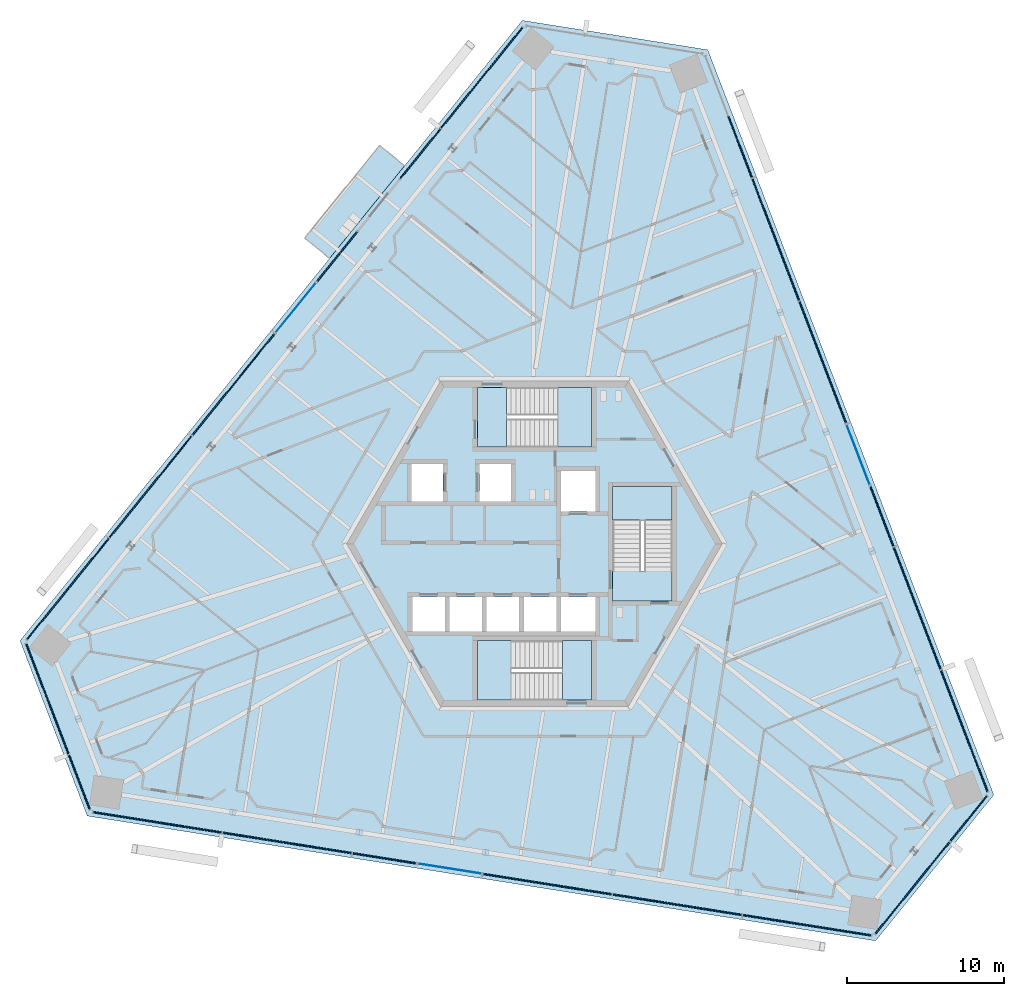
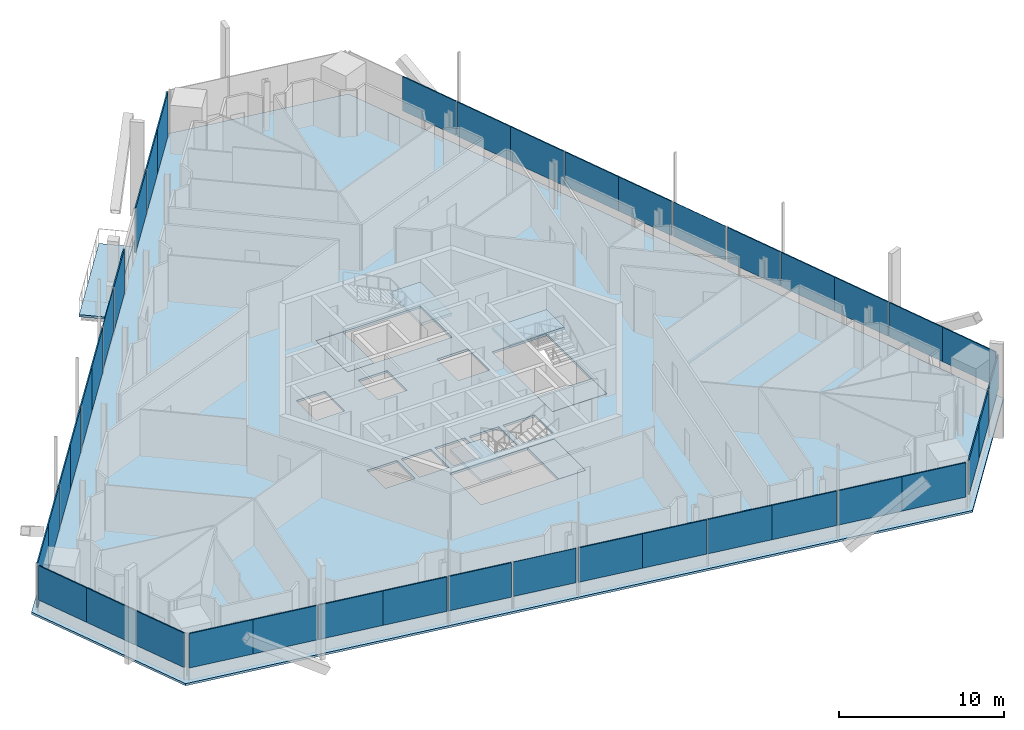
# One storey, part 10 of 23: 40 plates, 8 slabs, 15 elements without a shape of their own.
"""IFC4 building model written with IfcOpenShell, lengths in metres."""

from ifc_helpers import new_model, si_unit, direction, frame, origin, origin_2d, place, context, subcontext, project, spatial, polyline, rectangle, outline, extrude, source, transform, mapped, material, layer, layer_set, type_object, element, aggregate, save


model = new_model("IFC4")

# Units and contexts
model_context = context("Model", 3, precision=1e-05, world=origin(), true_north=direction((0.0, 1.0)))
body_context = subcontext(model_context, "Body", "Model", "MODEL_VIEW")
ifc_project = project(units=[si_unit("LENGTHUNIT", "METRE"), si_unit("AREAUNIT", "SQUARE_METRE"), si_unit("VOLUMEUNIT", "CUBIC_METRE"), si_unit("PLANEANGLEUNIT", "RADIAN"), si_unit("MASSUNIT", "GRAM", prefix="KILO")], contexts=[model_context])

# Site, building, storey
site_placement = place(None, origin())
site = spatial("IfcSite", under=ifc_project, at=site_placement, CompositionType="ELEMENT")
building_placement = place(site_placement, origin())
building = spatial("IfcBuilding", under=site, at=building_placement, Name="Triune Harvest Tower", CompositionType="ELEMENT")
storey_placement = place(building_placement, frame((0.0, 0.0, 167.699951171875)))
storey = spatial("IfcBuildingStorey", under=building, at=storey_placement, Name="L43", CompositionType="ELEMENT", Elevation=167.699951171875)

# Slab
ifc_material_1 = material(Name="Concrete 40 MPa", Category="concrete")
ifc_layer_1 = layer(ifc_material_1, 0.159912109375)
ifc_layer_set_1 = layer_set([ifc_layer_1], Name="Concrete 40 MPa")
slab_type_1 = type_object("IfcSlabType", Name="BA-1 balcony slab 160", PredefinedType="FLOOR", material=ifc_layer_set_1)
slab_1_placement = place(storey_placement, frame((0.0, 0.0, -0.159912109375)))
element("IfcSlab", 1, at=slab_1_placement, inside=storey, type_object=slab_type_1, Name="Balcony slab B4-F3 L43.4", PredefinedType="FLOOR", context=body_context, shape_type="SweptSolid", body=[
    extrude(outline(polyline([(-8.296630859375, 24.15771484375), (-13.08837890625, 18.240234375), (-14.6904296875, 19.53759765625), (-9.898681640625, 25.454833984375), (-8.296630859375, 24.15771484375)])), origin(), (0.0, 0.0, 1.0), 0.159912109375),
])

# Curtain wall, plate
ifc_material_2 = material(Name="Aluminium bronze anodised", Category="aluminium")
curtain_wall_type_1 = type_object("IfcCurtainWallType", Name="CW-6 Balcony window wall", PredefinedType="NOTDEFINED", material=ifc_material_2)
curtain_wall_1_placement = place(storey_placement, origin())
curtain_wall_1 = element("IfcCurtainWall", 2, at=curtain_wall_1_placement, inside=storey, type_object=curtain_wall_type_1, Name="CW-6 B4-F3 L43 run 1002")
ifc_material_3 = material(Name="Glass", Category="glass")
ifc_layer_2 = layer(ifc_material_3, 0.030029296875)
ifc_layer_set_2 = layer_set([ifc_layer_2], Name="Glass")
plate_type_1 = type_object("IfcPlateType", Name="GL-6 panel 30", PredefinedType="CURTAIN_PANEL", material=ifc_layer_set_2)
plate_1_placement = place(storey_placement, frame((-15.253662109375, 15.08984375, 0.150146484375), z_axis=(0.0, 0.0, 1.0), x_axis=(-0.629310288155, -0.777154142511, 0.0)))
plate_1 = element("IfcPlate", 3, at=plate_1_placement, type_object=plate_type_1, Name="CW-6 panel B4-F3 1002.1", PredefinedType="CURTAIN_PANEL", context=body_context, shape_type="SweptSolid", body=[
    extrude(rectangle(XDim=4.059814453125, YDim=0.030029296875, at=origin_2d()), origin(), (0.0, 0.0, 1.0), 3.2900390625),
])
aggregate(curtain_wall_1, [plate_1])

# Curtain wall, plates
ifc_material_4 = material(Name="Aluminium bronze anodised", Category="aluminium")
curtain_wall_type_2 = type_object("IfcCurtainWallType", Name="CW-10 Balcony window wall with insulated spandrel infill", PredefinedType="NOTDEFINED", material=ifc_material_4)
curtain_wall_2_placement = place(storey_placement, origin())
curtain_wall_2 = element("IfcCurtainWall", 4, at=curtain_wall_2_placement, inside=storey, type_object=curtain_wall_type_2, Name="CW-10 B4-F3 L43 run 1")
ifc_material_5 = material(Name="Insulated spandrel panel, bronze aluminium pan", Category="aluminium")
ifc_layer_3 = layer(ifc_material_5, 0.080078125)
ifc_layer_set_3 = layer_set([ifc_layer_3], Name="Insulated spandrel panel, bronze aluminium pan")
plate_type_2 = type_object("IfcPlateType", Name="SP-1 insulated spandrel panel 80", PredefinedType="CURTAIN_PANEL", material=ifc_layer_set_3)
plate_2_placement = place(storey_placement, frame((-2.052978515625, 31.391357421875, 0.150146484375), z_axis=(0.0, 0.0, 1.0), x_axis=(-0.629321459087, -0.777145096577, 0.0)))
plate_2 = element("IfcPlate", 5, at=plate_2_placement, type_object=plate_type_2, Name="CW-10 panel B4-F3 1.1", PredefinedType="CURTAIN_PANEL", context=body_context, shape_type="SweptSolid", body=[
    extrude(rectangle(XDim=4.1162109375, YDim=0.080078125, at=origin_2d()), origin(), (0.0, 0.0, 1.0), 3.2900390625),
])
plate_3_placement = place(storey_placement, frame((-7.292724609375, 24.9208984375, 0.150146484375), z_axis=(0.0, 0.0, 1.0), x_axis=(-0.629321459087, -0.777145096577, 0.0)))
plate_3 = element("IfcPlate", 6, at=plate_3_placement, type_object=plate_type_2, Name="CW-10 panel B4-F3 1.3", PredefinedType="CURTAIN_PANEL", context=body_context, shape_type="SweptSolid", body=[
    extrude(rectangle(XDim=4.07861328125, YDim=0.080078125, at=origin_2d()), origin(), (0.0, 0.0, 1.0), 3.2900390625),
])

# Curtain wall, plate
curtain_wall_3_placement = place(storey_placement, origin())
curtain_wall_3 = element("IfcCurtainWall", 7, at=curtain_wall_3_placement, inside=storey, type_object=curtain_wall_type_2, Name="CW-10 B4-F3 L43 run 2")
plate_4_placement = place(storey_placement, frame((-12.6044921875, 18.361328125, 0.150146484375), z_axis=(0.0, 0.0, 1.0), x_axis=(-0.629328506821, -0.777139389365, 0.0)))
plate_4 = element("IfcPlate", 8, at=plate_4_placement, type_object=plate_type_2, Name="CW-10 panel B4-F3 2.1", PredefinedType="CURTAIN_PANEL", context=body_context, shape_type="SweptSolid", body=[
    extrude(rectangle(XDim=4.059814453125, YDim=0.080078125, at=origin_2d()), origin(), (0.0, 0.0, 1.0), 3.2900390625),
])
aggregate(curtain_wall_3, [plate_4])

# Slab
ifc_material_6 = material(Name="Concrete 40 MPa", Category="concrete")
ifc_layer_4 = layer(ifc_material_6, 0.159912109375)
ifc_layer_set_4 = layer_set([ifc_layer_4], Name="Concrete 40 MPa")
slab_type_2 = type_object("IfcSlabType", Name="SL-1 Composite floor slab 160", PredefinedType="FLOOR", material=ifc_layer_set_4)
shared_shape_1 = source(origin(), body_context, "Body", "SweptSolid", [
    extrude(outline(polyline([(29.35107421875, -16.04736328125), (11.07421875, 31.565185546875), (-0.778076171875, 33.4423828125), (-32.873291015625, -6.19189453125), (-28.572998046875, -17.39501953125), (21.799072265625, -25.373291015625), (29.35107421875, -16.04736328125)]), holes=[polyline([(-5.72509765625, -5.590087890625), (-5.72509765625, -3.389892578125), (-7.800048828125, -3.389892578125), (-7.800048828125, -5.590087890625), (-5.72509765625, -5.590087890625)]), polyline([(-3.35009765625, -5.590087890625), (-3.35009765625, -3.389892578125), (-5.425048828125, -3.389892578125), (-5.425048828125, -5.590087890625), (-3.35009765625, -5.590087890625)]), polyline([(-0.97509765625, -5.590087890625), (-0.97509765625, -3.389892578125), (-3.050048828125, -3.389892578125), (-3.050048828125, -5.590087890625), (-0.97509765625, -5.590087890625)]), polyline([(1.39990234375, -5.590087890625), (1.39990234375, -3.389892578125), (-0.675048828125, -3.389892578125), (-0.675048828125, -5.590087890625), (1.39990234375, -5.590087890625)]), polyline([(3.89990234375, 2.06005859375), (3.89990234375, 4.659912109375), (1.699951171875, 4.659912109375), (1.699951171875, 2.06005859375), (3.89990234375, 2.06005859375)]), polyline([(3.89990234375, -5.590087890625), (3.89990234375, -3.389892578125), (1.699951171875, -3.389892578125), (1.699951171875, -5.590087890625), (3.89990234375, -5.590087890625)]), polyline([(-5.85009765625, 2.7099609375), (-5.85009765625, 5.110107421875), (-7.85009765625, 5.110107421875), (-7.85009765625, 2.7099609375), (-5.85009765625, 2.7099609375)]), polyline([(-1.5, 2.7099609375), (-1.5, 5.110107421875), (-3.5, 5.110107421875), (-3.5, 2.7099609375), (-1.5, 2.7099609375)]), polyline([(3.64990234375, 6.18994140625), (3.64990234375, 9.989990234375), (-3.64990234375, 9.989990234375), (-3.64990234375, 6.18994140625), (3.64990234375, 6.18994140625)]), polyline([(3.64990234375, -9.989990234375), (3.64990234375, -6.18994140625), (-3.64990234375, -6.18994140625), (-3.64990234375, -9.989990234375), (3.64990234375, -9.989990234375)]), polyline([(8.800048828125, -3.64990234375), (8.800048828125, 3.64990234375), (5.0, 3.64990234375), (5.0, -3.64990234375), (8.800048828125, -3.64990234375)])]), origin(), (0.0, 0.0, 1.0), 0.159912109375),
])
slab_2_placement = place(storey_placement, frame((0.0, 0.0, -0.159912109375)))
element("IfcSlab", 9, at=slab_2_placement, inside=storey, type_object=slab_type_2, Name="slab/L43/1", PredefinedType="FLOOR", context=body_context, shape_type="MappedRepresentation", body=[
    mapped(shared_shape_1, transform((0.0, 0.0, 0.0), scale=1.0)),
])

# Stair, slabs
ifc_material_7 = material(Name="Concrete 40 MPa", Category="concrete")
stair_type = type_object("IfcStairType", Name="Exit stair 1800 half turn", PredefinedType="HALF_TURN_STAIR", material=ifc_material_7)
stair_1_placement = place(storey_placement, origin())
stair_1 = element("IfcStair", 10, at=stair_1_placement, inside=storey, type_object=stair_type, Name="Exit stair north", PredefinedType="HALF_TURN_STAIR")
ifc_material_8 = material(Name="Concrete 40 MPa", Category="concrete")
ifc_layer_5 = layer(ifc_material_8, 0.199951171875)
ifc_layer_set_5 = layer_set([ifc_layer_5], Name="Concrete 40 MPa")
slab_type_3 = type_object("IfcSlabType", Name="Stair landing 200", PredefinedType="LANDING", material=ifc_layer_set_5)
shared_shape_2 = source(origin(), body_context, "Body", "SweptSolid", [
    extrude(outline(polyline([(1.510009765625, 6.18994140625), (3.64990234375, 6.18994140625), (3.64990234375, 9.989990234375), (1.510009765625, 9.989990234375), (1.510009765625, 6.18994140625)])), origin(), (0.0, 0.0, 1.0), 0.199951171875),
])
slab_3_placement = place(storey_placement, frame((0.0, 0.0, 1.60009765625)))
slab_3 = element("IfcSlab", 11, at=slab_3_placement, type_object=slab_type_3, Name="ST-1 landing 2", PredefinedType="LANDING", context=body_context, shape_type="MappedRepresentation", body=[
    mapped(shared_shape_2, transform((0.0, 0.0, 0.0), scale=1.0)),
])
shared_shape_3 = source(origin(), body_context, "Body", "SweptSolid", [
    extrude(outline(polyline([(-3.64990234375, 6.18994140625), (-1.780029296875, 6.18994140625), (-1.780029296875, 9.989990234375), (-3.64990234375, 9.989990234375), (-3.64990234375, 6.18994140625)])), origin(), (0.0, 0.0, 1.0), 0.199951171875),
])
slab_4_placement = place(storey_placement, frame((0.0, 0.0, -0.199951171875)))
slab_4 = element("IfcSlab", 12, at=slab_4_placement, type_object=slab_type_3, Name="ST-1 landing 1", PredefinedType="LANDING", context=body_context, shape_type="MappedRepresentation", body=[
    mapped(shared_shape_3, transform((0.0, 0.0, 0.0), scale=1.0)),
])
aggregate(stair_1, [slab_4, slab_3])

stair_2_placement = place(storey_placement, origin())
stair_2 = element("IfcStair", 13, at=stair_2_placement, inside=storey, type_object=stair_type, Name="Exit stair south", PredefinedType="HALF_TURN_STAIR")
shared_shape_4 = source(origin(), body_context, "Body", "SweptSolid", [
    extrude(outline(polyline([(-1.510009765625, -6.18994140625), (-3.64990234375, -6.18994140625), (-3.64990234375, -9.989990234375), (-1.510009765625, -9.989990234375), (-1.510009765625, -6.18994140625)])), origin(), (0.0, 0.0, 1.0), 0.199951171875),
])
slab_5_placement = place(storey_placement, frame((0.0, 0.0, 1.60009765625)))
slab_5 = element("IfcSlab", 14, at=slab_5_placement, type_object=slab_type_3, Name="ST-2 landing 2", PredefinedType="LANDING", context=body_context, shape_type="MappedRepresentation", body=[
    mapped(shared_shape_4, transform((0.0, 0.0, 0.0), scale=1.0)),
])
shared_shape_5 = source(origin(), body_context, "Body", "SweptSolid", [
    extrude(outline(polyline([(3.64990234375, -6.18994140625), (1.780029296875, -6.18994140625), (1.780029296875, -9.989990234375), (3.64990234375, -9.989990234375), (3.64990234375, -6.18994140625)])), origin(), (0.0, 0.0, 1.0), 0.199951171875),
])
slab_6_placement = place(storey_placement, frame((0.0, 0.0, -0.199951171875)))
slab_6 = element("IfcSlab", 15, at=slab_6_placement, type_object=slab_type_3, Name="ST-2 landing 1", PredefinedType="LANDING", context=body_context, shape_type="MappedRepresentation", body=[
    mapped(shared_shape_5, transform((0.0, 0.0, 0.0), scale=1.0)),
])
aggregate(stair_2, [slab_6, slab_5])

stair_3_placement = place(storey_placement, origin())
stair_3 = element("IfcStair", 16, at=stair_3_placement, inside=storey, type_object=stair_type, Name="Exit stair east", PredefinedType="HALF_TURN_STAIR")
shared_shape_6 = source(origin(), body_context, "Body", "SweptSolid", [
    extrude(outline(polyline([(8.800048828125, 1.510009765625), (8.800048828125, 3.64990234375), (5.0, 3.64990234375), (5.0, 1.510009765625), (8.800048828125, 1.510009765625)])), origin(), (0.0, 0.0, 1.0), 0.199951171875),
])
slab_7_placement = place(storey_placement, frame((0.0, 0.0, 1.60009765625)))
slab_7 = element("IfcSlab", 17, at=slab_7_placement, type_object=slab_type_3, Name="ST-3 landing 2", PredefinedType="LANDING", context=body_context, shape_type="MappedRepresentation", body=[
    mapped(shared_shape_6, transform((0.0, 0.0, 0.0), scale=1.0)),
])
shared_shape_7 = source(origin(), body_context, "Body", "SweptSolid", [
    extrude(outline(polyline([(8.800048828125, -3.64990234375), (8.800048828125, -1.780029296875), (5.0, -1.780029296875), (5.0, -3.64990234375), (8.800048828125, -3.64990234375)])), origin(), (0.0, 0.0, 1.0), 0.199951171875),
])
slab_8_placement = place(storey_placement, frame((0.0, 0.0, -0.199951171875)))
slab_8 = element("IfcSlab", 18, at=slab_8_placement, type_object=slab_type_3, Name="ST-3 landing 1", PredefinedType="LANDING", context=body_context, shape_type="MappedRepresentation", body=[
    mapped(shared_shape_7, transform((0.0, 0.0, 0.0), scale=1.0)),
])
aggregate(stair_3, [slab_8, slab_7])

# Curtain wall, plate
ifc_material_9 = material(Name="Aluminium bronze anodised", Category="aluminium")
curtain_wall_type_3 = type_object("IfcCurtainWallType", Name="CW-1 Tower stick curtain wall", PredefinedType="NOTDEFINED", material=ifc_material_9)
curtain_wall_4_placement = place(storey_placement, origin())
curtain_wall_4 = element("IfcCurtainWall", 19, at=curtain_wall_4_placement, inside=storey, type_object=curtain_wall_type_3, Name="CW-1 B4-F1 L43 run 1001")
ifc_material_10 = material(Name="Glass", Category="glass")
ifc_layer_6 = layer(ifc_material_10, 0.031982421875)
ifc_layer_set_6 = layer_set([ifc_layer_6], Name="Glass")
plate_type_3 = type_object("IfcPlateType", Name="GL-1 panel 32", PredefinedType="CURTAIN_PANEL", material=ifc_layer_set_6)
shared_shape_8 = source(origin(), body_context, "Body", "SweptSolid", [
    extrude(rectangle(XDim=4.05615234375, YDim=0.031982421875, at=origin_2d()), origin(), (0.0, 0.0, 1.0), 2.5400390625),
])
plate_5_placement = place(storey_placement, frame((20.686279296875, 5.68798828125, 0.900146484375), z_axis=(0.0, 0.0, 1.0), x_axis=(-0.358376798976, 0.933577029471, 0.0)))
plate_5 = element("IfcPlate", 20, at=plate_5_placement, type_object=plate_type_3, Name="CW-1 panel B4-F1 1001.1", PredefinedType="CURTAIN_PANEL", context=body_context, shape_type="MappedRepresentation", body=[
    mapped(shared_shape_8, transform((0.0, 0.0, 0.0), scale=1.0)),
])
aggregate(curtain_wall_4, [plate_5])

curtain_wall_5_placement = place(storey_placement, origin())
curtain_wall_5 = element("IfcCurtainWall", 21, at=curtain_wall_5_placement, inside=storey, type_object=curtain_wall_type_3, Name="CW-1 B4-F5 L43 run 1001")
plate_6_placement = place(storey_placement, frame((-5.417236328125, -20.7587890625, 0.900146484375), z_axis=(0.0, 0.0, 1.0), x_axis=(0.987688058439, -0.156436246492, 0.0)))
plate_6 = element("IfcPlate", 22, at=plate_6_placement, type_object=plate_type_3, Name="CW-1 panel B4-F5 1001.1", PredefinedType="CURTAIN_PANEL", context=body_context, shape_type="MappedRepresentation", body=[
    mapped(shared_shape_8, transform((0.0, 0.0, 0.0), scale=1.0)),
])
aggregate(curtain_wall_5, [plate_6])

ifc_material_11 = material(Name="Aluminium bronze anodised", Category="aluminium")
curtain_wall_type_4 = type_object("IfcCurtainWallType", Name="CW-7 Tower stick curtain wall with insulated spandrel infill", PredefinedType="NOTDEFINED", material=ifc_material_11)
curtain_wall_6_placement = place(storey_placement, origin())
curtain_wall_6 = element("IfcCurtainWall", 23, at=curtain_wall_6_placement, inside=storey, type_object=curtain_wall_type_4, Name="CW-7 B4-F1 L43 run 1")
shared_shape_9 = source(origin(), body_context, "Body", "SweptSolid", [
    extrude(rectangle(XDim=4.131103515625, YDim=0.080078125, at=origin_2d()), origin(), (0.0, 0.0, 1.0), 2.5400390625),
])
plate_7_placement = place(storey_placement, frame((28.20947265625, -13.910888671875, 0.900146484375), z_axis=(0.0, 0.0, 1.0), x_axis=(-0.358369839068, 0.933579701175, 0.0)))
plate_7 = element("IfcPlate", 24, at=plate_7_placement, type_object=plate_type_2, Name="CW-7 panel B4-F1 1.1", PredefinedType="CURTAIN_PANEL", context=body_context, shape_type="MappedRepresentation", body=[
    mapped(shared_shape_9, transform((0.0, 0.0, 0.0), scale=1.0)),
])

curtain_wall_7_placement = place(storey_placement, origin())
curtain_wall_7 = element("IfcCurtainWall", 25, at=curtain_wall_7_placement, inside=storey, type_object=curtain_wall_type_4, Name="CW-7 B4-F1 L43 run 2001")
plate_8_placement = place(storey_placement, frame((19.165283203125, 9.64990234375, 0.900146484375), z_axis=(0.0, 0.0, 1.0), x_axis=(-0.358367545502, 0.933580581595, 0.0)))
plate_8 = element("IfcPlate", 26, at=plate_8_placement, type_object=plate_type_2, Name="CW-7 panel B4-F1 2001.1", PredefinedType="CURTAIN_PANEL", context=body_context, shape_type="MappedRepresentation", body=[
    mapped(shared_shape_9, transform((0.0, 0.0, 0.0), scale=1.0)),
])

curtain_wall_8_placement = place(storey_placement, origin())
curtain_wall_8 = element("IfcCurtainWall", 27, at=curtain_wall_8_placement, inside=storey, type_object=curtain_wall_type_4, Name="CW-7 B4-F5 L43 run 1")
plate_9_placement = place(storey_placement, frame((-26.15185546875, -17.474853515625, 0.900146484375), z_axis=(0.0, 0.0, 1.0), x_axis=(0.987688300209, -0.156434720031, 0.0)))
plate_9 = element("IfcPlate", 28, at=plate_9_placement, type_object=plate_type_2, Name="CW-7 panel B4-F5 1.1", PredefinedType="CURTAIN_PANEL", context=body_context, shape_type="MappedRepresentation", body=[
    mapped(shared_shape_9, transform((0.0, 0.0, 0.0), scale=1.0)),
])

# Curtain wall, plates
curtain_wall_9_placement = place(storey_placement, origin())
curtain_wall_9 = element("IfcCurtainWall", 29, at=curtain_wall_9_placement, inside=storey, type_object=curtain_wall_type_4, Name="CW-7 B4-F5 L43 run 2001")
plate_10_placement = place(storey_placement, frame((-1.225830078125, -21.422607421875, 0.900146484375), z_axis=(0.0, 0.0, 1.0), x_axis=(0.987688259912, -0.156434974453, 0.0)))
plate_10 = element("IfcPlate", 30, at=plate_10_placement, type_object=plate_type_2, Name="CW-7 panel B4-F5 2001.1", PredefinedType="CURTAIN_PANEL", context=body_context, shape_type="MappedRepresentation", body=[
    mapped(shared_shape_9, transform((0.0, 0.0, 0.0), scale=1.0)),
])
plate_11_placement = place(storey_placement, frame((19.471923828125, -24.700927734375, 0.900146484375), z_axis=(0.0, 0.0, 1.0), x_axis=(0.987688259912, -0.156434974453, 0.0)))
plate_11 = element("IfcPlate", 31, at=plate_11_placement, type_object=plate_type_2, Name="CW-7 panel B4-F5 2001.6", PredefinedType="CURTAIN_PANEL", context=body_context, shape_type="MappedRepresentation", body=[
    mapped(shared_shape_9, transform((0.0, 0.0, 0.0), scale=1.0)),
])

# Plate
shared_shape_10 = source(origin(), body_context, "Body", "SweptSolid", [
    extrude(rectangle(XDim=4.168701171875, YDim=0.080078125, at=origin_2d()), origin(), (0.0, 0.0, 1.0), 2.5400390625),
])
plate_12_placement = place(storey_placement, frame((26.722412109375, -10.03662109375, 0.900146484375), z_axis=(0.0, 0.0, 1.0), x_axis=(-0.358369839068, 0.933579701175, 0.0)))
plate_12 = element("IfcPlate", 32, at=plate_12_placement, type_object=plate_type_2, Name="CW-7 panel B4-F1 1.2", PredefinedType="CURTAIN_PANEL", context=body_context, shape_type="MappedRepresentation", body=[
    mapped(shared_shape_10, transform((0.0, 0.0, 0.0), scale=1.0)),
])

plate_13_placement = place(storey_placement, frame((25.20166015625, -6.07470703125, 0.900146484375), z_axis=(0.0, 0.0, 1.0), x_axis=(-0.358369839068, 0.933579701175, 0.0)))
plate_13 = element("IfcPlate", 33, at=plate_13_placement, type_object=plate_type_2, Name="CW-7 panel B4-F1 1.3", PredefinedType="CURTAIN_PANEL", context=body_context, shape_type="MappedRepresentation", body=[
    mapped(shared_shape_10, transform((0.0, 0.0, 0.0), scale=1.0)),
])

plate_14_placement = place(storey_placement, frame((23.707763671875, -2.18310546875, 0.900146484375), z_axis=(0.0, 0.0, 1.0), x_axis=(-0.358369839068, 0.933579701175, 0.0)))
plate_14 = element("IfcPlate", 34, at=plate_14_placement, type_object=plate_type_2, Name="CW-7 panel B4-F1 1.4", PredefinedType="CURTAIN_PANEL", context=body_context, shape_type="MappedRepresentation", body=[
    mapped(shared_shape_10, transform((0.0, 0.0, 0.0), scale=1.0)),
])

plate_15_placement = place(storey_placement, frame((17.67822265625, 13.52392578125, 0.900146484375), z_axis=(0.0, 0.0, 1.0), x_axis=(-0.358367545502, 0.933580581595, 0.0)))
plate_15 = element("IfcPlate", 35, at=plate_15_placement, type_object=plate_type_2, Name="CW-7 panel B4-F1 2001.2", PredefinedType="CURTAIN_PANEL", context=body_context, shape_type="MappedRepresentation", body=[
    mapped(shared_shape_10, transform((0.0, 0.0, 0.0), scale=1.0)),
])

plate_16_placement = place(storey_placement, frame((16.157470703125, 17.48583984375, 0.900146484375), z_axis=(0.0, 0.0, 1.0), x_axis=(-0.358367545502, 0.933580581595, 0.0)))
plate_16 = element("IfcPlate", 36, at=plate_16_placement, type_object=plate_type_2, Name="CW-7 panel B4-F1 2001.3", PredefinedType="CURTAIN_PANEL", context=body_context, shape_type="MappedRepresentation", body=[
    mapped(shared_shape_10, transform((0.0, 0.0, 0.0), scale=1.0)),
])

plate_17_placement = place(storey_placement, frame((14.66357421875, 21.377685546875, 0.900146484375), z_axis=(0.0, 0.0, 1.0), x_axis=(-0.358367545502, 0.933580581595, 0.0)))
plate_17 = element("IfcPlate", 37, at=plate_17_placement, type_object=plate_type_2, Name="CW-7 panel B4-F1 2001.4", PredefinedType="CURTAIN_PANEL", context=body_context, shape_type="MappedRepresentation", body=[
    mapped(shared_shape_10, transform((0.0, 0.0, 0.0), scale=1.0)),
])

plate_18_placement = place(storey_placement, frame((13.142822265625, 25.33935546875, 0.900146484375), z_axis=(0.0, 0.0, 1.0), x_axis=(-0.358367545502, 0.933580581595, 0.0)))
plate_18 = element("IfcPlate", 38, at=plate_18_placement, type_object=plate_type_2, Name="CW-7 panel B4-F1 2001.5", PredefinedType="CURTAIN_PANEL", context=body_context, shape_type="MappedRepresentation", body=[
    mapped(shared_shape_10, transform((0.0, 0.0, 0.0), scale=1.0)),
])

aggregate(curtain_wall_7, [plate_8, plate_15, plate_16, plate_17, plate_18])

plate_19_placement = place(storey_placement, frame((-22.05322265625, -18.1240234375, 0.900146484375), z_axis=(0.0, 0.0, 1.0), x_axis=(0.987688300209, -0.156434720031, 0.0)))
plate_19 = element("IfcPlate", 39, at=plate_19_placement, type_object=plate_type_2, Name="CW-7 panel B4-F5 1.2", PredefinedType="CURTAIN_PANEL", context=body_context, shape_type="MappedRepresentation", body=[
    mapped(shared_shape_10, transform((0.0, 0.0, 0.0), scale=1.0)),
])

plate_20_placement = place(storey_placement, frame((-17.86181640625, -18.787841796875, 0.900146484375), z_axis=(0.0, 0.0, 1.0), x_axis=(0.987688300209, -0.156434720031, 0.0)))
plate_20 = element("IfcPlate", 40, at=plate_20_placement, type_object=plate_type_2, Name="CW-7 panel B4-F5 1.3", PredefinedType="CURTAIN_PANEL", context=body_context, shape_type="MappedRepresentation", body=[
    mapped(shared_shape_10, transform((0.0, 0.0, 0.0), scale=1.0)),
])

plate_21_placement = place(storey_placement, frame((-13.744384765625, -19.43994140625, 0.900146484375), z_axis=(0.0, 0.0, 1.0), x_axis=(0.987688300209, -0.156434720031, 0.0)))
plate_21 = element("IfcPlate", 41, at=plate_21_placement, type_object=plate_type_2, Name="CW-7 panel B4-F5 1.4", PredefinedType="CURTAIN_PANEL", context=body_context, shape_type="MappedRepresentation", body=[
    mapped(shared_shape_10, transform((0.0, 0.0, 0.0), scale=1.0)),
])

plate_22_placement = place(storey_placement, frame((2.873046875, -22.07177734375, 0.900146484375), z_axis=(0.0, 0.0, 1.0), x_axis=(0.987688259912, -0.156434974453, 0.0)))
plate_22 = element("IfcPlate", 42, at=plate_22_placement, type_object=plate_type_2, Name="CW-7 panel B4-F5 2001.2", PredefinedType="CURTAIN_PANEL", context=body_context, shape_type="MappedRepresentation", body=[
    mapped(shared_shape_10, transform((0.0, 0.0, 0.0), scale=1.0)),
])

plate_23_placement = place(storey_placement, frame((7.064453125, -22.735595703125, 0.900146484375), z_axis=(0.0, 0.0, 1.0), x_axis=(0.987688259912, -0.156434974453, 0.0)))
plate_23 = element("IfcPlate", 43, at=plate_23_placement, type_object=plate_type_2, Name="CW-7 panel B4-F5 2001.3", PredefinedType="CURTAIN_PANEL", context=body_context, shape_type="MappedRepresentation", body=[
    mapped(shared_shape_10, transform((0.0, 0.0, 0.0), scale=1.0)),
])

plate_24_placement = place(storey_placement, frame((11.181640625, -23.387939453125, 0.900146484375), z_axis=(0.0, 0.0, 1.0), x_axis=(0.987688259912, -0.156434974453, 0.0)))
plate_24 = element("IfcPlate", 44, at=plate_24_placement, type_object=plate_type_2, Name="CW-7 panel B4-F5 2001.4", PredefinedType="CURTAIN_PANEL", context=body_context, shape_type="MappedRepresentation", body=[
    mapped(shared_shape_10, transform((0.0, 0.0, 0.0), scale=1.0)),
])

plate_25_placement = place(storey_placement, frame((15.373046875, -24.0517578125, 0.900146484375), z_axis=(0.0, 0.0, 1.0), x_axis=(0.987688259912, -0.156434974453, 0.0)))
plate_25 = element("IfcPlate", 45, at=plate_25_placement, type_object=plate_type_2, Name="CW-7 panel B4-F5 2001.5", PredefinedType="CURTAIN_PANEL", context=body_context, shape_type="MappedRepresentation", body=[
    mapped(shared_shape_10, transform((0.0, 0.0, 0.0), scale=1.0)),
])

aggregate(curtain_wall_9, [plate_10, plate_22, plate_23, plate_24, plate_25, plate_11])

# Curtain wall, plates
curtain_wall_10_placement = place(storey_placement, origin())
curtain_wall_10 = element("IfcCurtainWall", 46, at=curtain_wall_10_placement, inside=storey, type_object=curtain_wall_type_2, Name="CW-10 B4-F3 L43 run 2002")
shared_shape_11 = source(origin(), body_context, "Body", "SweptSolid", [
    extrude(rectangle(XDim=4.17236328125, YDim=0.080078125, at=origin_2d()), origin(), (0.0, 0.0, 1.0), 3.2900390625),
])
plate_26_placement = place(storey_placement, frame((-20.540771484375, 8.56103515625, 0.150146484375), z_axis=(0.0, 0.0, 1.0), x_axis=(-0.629322146266, -0.777144540108, 0.0)))
plate_26 = element("IfcPlate", 47, at=plate_26_placement, type_object=plate_type_2, Name="CW-10 panel B4-F3 2002.2", PredefinedType="CURTAIN_PANEL", context=body_context, shape_type="MappedRepresentation", body=[
    mapped(shared_shape_11, transform((0.0, 0.0, 0.0), scale=1.0)),
])
plate_27_placement = place(storey_placement, frame((-23.213623046875, 5.260009765625, 0.150146484375), z_axis=(0.0, 0.0, 1.0), x_axis=(-0.629322146266, -0.777144540108, 0.0)))
plate_27 = element("IfcPlate", 48, at=plate_27_placement, type_object=plate_type_2, Name="CW-10 panel B4-F3 2002.3", PredefinedType="CURTAIN_PANEL", context=body_context, shape_type="MappedRepresentation", body=[
    mapped(shared_shape_11, transform((0.0, 0.0, 0.0), scale=1.0)),
])
plate_28_placement = place(storey_placement, frame((-25.83935546875, 2.017578125, 0.150146484375), z_axis=(0.0, 0.0, 1.0), x_axis=(-0.629322146266, -0.777144540108, 0.0)))
plate_28 = element("IfcPlate", 49, at=plate_28_placement, type_object=plate_type_2, Name="CW-10 panel B4-F3 2002.4", PredefinedType="CURTAIN_PANEL", context=body_context, shape_type="MappedRepresentation", body=[
    mapped(shared_shape_11, transform((0.0, 0.0, 0.0), scale=1.0)),
])
plate_29_placement = place(storey_placement, frame((-28.512451171875, -1.283203125, 0.150146484375), z_axis=(0.0, 0.0, 1.0), x_axis=(-0.629322146266, -0.777144540108, 0.0)))
plate_29 = element("IfcPlate", 50, at=plate_29_placement, type_object=plate_type_2, Name="CW-10 panel B4-F3 2002.5", PredefinedType="CURTAIN_PANEL", context=body_context, shape_type="MappedRepresentation", body=[
    mapped(shared_shape_11, transform((0.0, 0.0, 0.0), scale=1.0)),
])
shared_shape_12 = source(origin(), body_context, "Body", "SweptSolid", [
    extrude(rectangle(XDim=4.135009765625, YDim=0.080078125, at=origin_2d()), origin(), (0.0, 0.0, 1.0), 3.2900390625),
])
plate_30_placement = place(storey_placement, frame((-17.9267578125, 11.788818359375, 0.150146484375), z_axis=(0.0, 0.0, 1.0), x_axis=(-0.629322146266, -0.777144540108, 0.0)))
plate_30 = element("IfcPlate", 51, at=plate_30_placement, type_object=plate_type_2, Name="CW-10 panel B4-F3 2002.1", PredefinedType="CURTAIN_PANEL", context=body_context, shape_type="MappedRepresentation", body=[
    mapped(shared_shape_12, transform((0.0, 0.0, 0.0), scale=1.0)),
])
plate_31_placement = place(storey_placement, frame((-31.12646484375, -4.51123046875, 0.150146484375), z_axis=(0.0, 0.0, 1.0), x_axis=(-0.629322146266, -0.777144540108, 0.0)))
plate_31 = element("IfcPlate", 52, at=plate_31_placement, type_object=plate_type_2, Name="CW-10 panel B4-F3 2002.6", PredefinedType="CURTAIN_PANEL", context=body_context, shape_type="MappedRepresentation", body=[
    mapped(shared_shape_12, transform((0.0, 0.0, 0.0), scale=1.0)),
])
aggregate(curtain_wall_10, [plate_30, plate_26, plate_27, plate_28, plate_29, plate_31])

# Plate
shared_shape_13 = source(origin(), body_context, "Body", "SweptSolid", [
    extrude(rectangle(XDim=4.093505859375, YDim=0.080078125, at=origin_2d()), origin(), (0.0, 0.0, 1.0), 2.5400390625),
])
plate_32_placement = place(storey_placement, frame((22.2001953125, 1.74365234375, 0.900146484375), z_axis=(0.0, 0.0, 1.0), x_axis=(-0.358369839068, 0.933579701175, 0.0)))
plate_32 = element("IfcPlate", 53, at=plate_32_placement, type_object=plate_type_2, Name="CW-7 panel B4-F1 1.5", PredefinedType="CURTAIN_PANEL", context=body_context, shape_type="MappedRepresentation", body=[
    mapped(shared_shape_13, transform((0.0, 0.0, 0.0), scale=1.0)),
])

aggregate(curtain_wall_6, [plate_7, plate_12, plate_13, plate_14, plate_32])

plate_33_placement = place(storey_placement, frame((-9.590087890625, -20.097900390625, 0.900146484375), z_axis=(0.0, 0.0, 1.0), x_axis=(0.987688300209, -0.156434720031, 0.0)))
plate_33 = element("IfcPlate", 54, at=plate_33_placement, type_object=plate_type_2, Name="CW-7 panel B4-F5 1.5", PredefinedType="CURTAIN_PANEL", context=body_context, shape_type="MappedRepresentation", body=[
    mapped(shared_shape_13, transform((0.0, 0.0, 0.0), scale=1.0)),
])

aggregate(curtain_wall_8, [plate_9, plate_19, plate_20, plate_21, plate_33])

# Curtain wall, plate
curtain_wall_11_placement = place(storey_placement, origin())
curtain_wall_11 = element("IfcCurtainWall", 55, at=curtain_wall_11_placement, inside=storey, type_object=curtain_wall_type_4, Name="CW-7 B4-F4 L43 run 1")
shared_shape_14 = source(origin(), body_context, "Body", "SweptSolid", [
    extrude(rectangle(XDim=3.74951171875, YDim=0.080078125, at=origin_2d()), origin(), (0.0, 0.0, 1.0), 2.5400390625),
])
plate_34_placement = place(storey_placement, frame((-31.80029296875, -8.150390625, 0.900146484375), z_axis=(0.0, 0.0, 1.0), x_axis=(0.358368910177, -0.933580057745, 0.0)))
plate_34 = element("IfcPlate", 56, at=plate_34_placement, type_object=plate_type_2, Name="CW-7 panel B4-F4 1.1", PredefinedType="CURTAIN_PANEL", context=body_context, shape_type="MappedRepresentation", body=[
    mapped(shared_shape_14, transform((0.0, 0.0, 0.0), scale=1.0)),
])

curtain_wall_12_placement = place(storey_placement, origin())
curtain_wall_12 = element("IfcCurtainWall", 57, at=curtain_wall_12_placement, inside=storey, type_object=curtain_wall_type_4, Name="CW-7 B4-F6 L43 run 1")
plate_35_placement = place(storey_placement, frame((22.958740234375, -23.464599609375, 0.900146484375), z_axis=(0.0, 0.0, 1.0), x_axis=(0.629320905414, 0.777145544932, 0.0)))
plate_35 = element("IfcPlate", 58, at=plate_35_placement, type_object=plate_type_2, Name="CW-7 panel B4-F6 1.1", PredefinedType="CURTAIN_PANEL", context=body_context, shape_type="MappedRepresentation", body=[
    mapped(shared_shape_14, transform((0.0, 0.0, 0.0), scale=1.0)),
])

# Plate
shared_shape_15 = source(origin(), body_context, "Body", "SweptSolid", [
    extrude(rectangle(XDim=3.787109375, YDim=0.080078125, at=origin_2d()), origin(), (0.0, 0.0, 1.0), 2.5400390625),
])
plate_36_placement = place(storey_placement, frame((-30.449951171875, -11.66845703125, 0.900146484375), z_axis=(0.0, 0.0, 1.0), x_axis=(0.358368910177, -0.933580057745, 0.0)))
plate_36 = element("IfcPlate", 59, at=plate_36_placement, type_object=plate_type_2, Name="CW-7 panel B4-F4 1.2", PredefinedType="CURTAIN_PANEL", context=body_context, shape_type="MappedRepresentation", body=[
    mapped(shared_shape_15, transform((0.0, 0.0, 0.0), scale=1.0)),
])

plate_37_placement = place(storey_placement, frame((25.330078125, -20.5361328125, 0.900146484375), z_axis=(0.0, 0.0, 1.0), x_axis=(0.629320905414, 0.777145544932, 0.0)))
plate_37 = element("IfcPlate", 60, at=plate_37_placement, type_object=plate_type_2, Name="CW-7 panel B4-F6 1.2", PredefinedType="CURTAIN_PANEL", context=body_context, shape_type="MappedRepresentation", body=[
    mapped(shared_shape_15, transform((0.0, 0.0, 0.0), scale=1.0)),
])

shared_shape_16 = source(origin(), body_context, "Body", "SweptSolid", [
    extrude(rectangle(XDim=4.153564453125, YDim=0.080078125, at=origin_2d()), origin(), (0.0, 0.0, 1.0), 3.2900390625),
])
plate_38_placement = place(storey_placement, frame((-4.655029296875, 28.177978515625, 0.150146484375), z_axis=(0.0, 0.0, 1.0), x_axis=(-0.629321459087, -0.777145096577, 0.0)))
plate_38 = element("IfcPlate", 61, at=plate_38_placement, type_object=plate_type_2, Name="CW-10 panel B4-F3 1.2", PredefinedType="CURTAIN_PANEL", context=body_context, shape_type="MappedRepresentation", body=[
    mapped(shared_shape_16, transform((0.0, 0.0, 0.0), scale=1.0)),
])

aggregate(curtain_wall_2, [plate_2, plate_38, plate_3])

shared_shape_17 = source(origin(), body_context, "Body", "SweptSolid", [
    extrude(rectangle(XDim=3.712158203125, YDim=0.080078125, at=origin_2d()), origin(), (0.0, 0.0, 1.0), 2.5400390625),
])
plate_39_placement = place(storey_placement, frame((-29.079345703125, -15.239013671875, 0.900146484375), z_axis=(0.0, 0.0, 1.0), x_axis=(0.358368910177, -0.933580057745, 0.0)))
plate_39 = element("IfcPlate", 62, at=plate_39_placement, type_object=plate_type_2, Name="CW-7 panel B4-F4 1.3", PredefinedType="CURTAIN_PANEL", context=body_context, shape_type="MappedRepresentation", body=[
    mapped(shared_shape_17, transform((0.0, 0.0, 0.0), scale=1.0)),
])

aggregate(curtain_wall_11, [plate_34, plate_36, plate_39])

plate_40_placement = place(storey_placement, frame((27.737060546875, -17.563720703125, 0.900146484375), z_axis=(0.0, 0.0, 1.0), x_axis=(0.629320905414, 0.777145544932, 0.0)))
plate_40 = element("IfcPlate", 63, at=plate_40_placement, type_object=plate_type_2, Name="CW-7 panel B4-F6 1.3", PredefinedType="CURTAIN_PANEL", context=body_context, shape_type="MappedRepresentation", body=[
    mapped(shared_shape_17, transform((0.0, 0.0, 0.0), scale=1.0)),
])

aggregate(curtain_wall_12, [plate_35, plate_37, plate_40])

save(model, "model.ifc")
